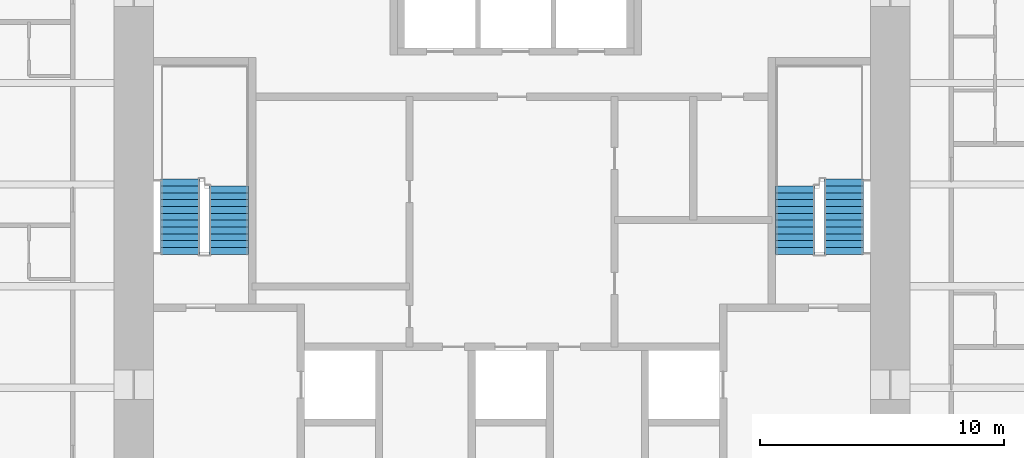
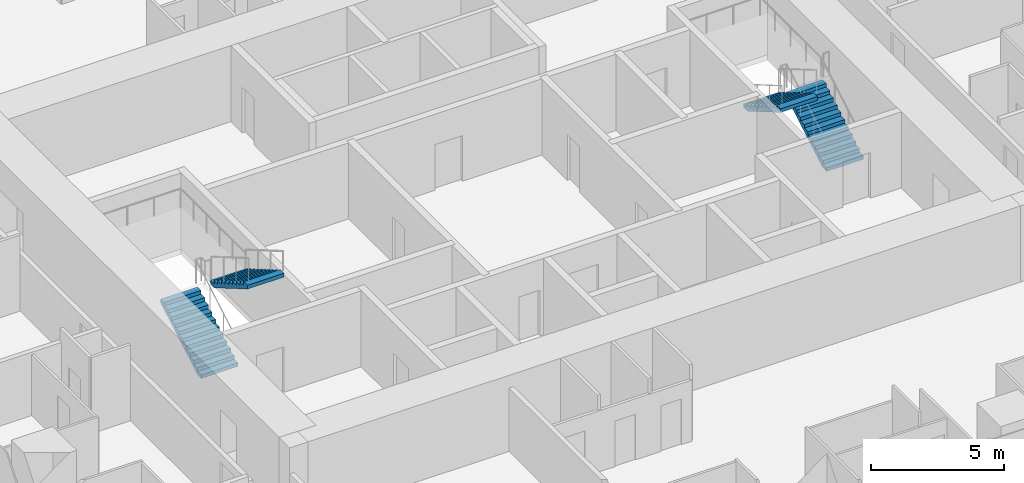
# One storey, part 12 of 13: 4 stair flights, 2 elements without a shape of their own.
"""IFC4 building model written with IfcOpenShell, lengths in metres."""

from ifc_helpers import new_model, si_unit, direction, frame, origin, place, context, subcontext, project, spatial, polyline, outline, extrude, material, type_object, element, aggregate, save


model = new_model("IFC4")

# Units and contexts
model_context = context("Model", 3, precision=1e-05, world=origin(), true_north=direction((0.0, 1.0)))
body_context = subcontext(model_context, "Body", "Model", "MODEL_VIEW")
ifc_project = project(units=[si_unit("LENGTHUNIT", "METRE"), si_unit("AREAUNIT", "SQUARE_METRE"), si_unit("VOLUMEUNIT", "CUBIC_METRE"), si_unit("PLANEANGLEUNIT", "RADIAN"), si_unit("MASSUNIT", "GRAM", prefix="KILO")], contexts=[model_context])

# Site, building, storey
site_placement = place(None, origin())
site = spatial("IfcSite", under=ifc_project, at=site_placement, CompositionType="ELEMENT")
building_placement = place(site_placement, origin())
building = spatial("IfcBuilding", under=site, at=building_placement, Name="Khuree Lantern Residences", CompositionType="ELEMENT")
storey_placement = place(building_placement, frame((0.0, 0.0, 259.5)))
storey = spatial("IfcBuildingStorey", under=building, at=storey_placement, Name="L65", CompositionType="ELEMENT", Elevation=259.5)

# Stair, stair flights
ifc_material = material(Name="Concrete C40/50", Category="concrete")
stair_type = type_object("IfcStairType", Name="STAIR ST1 HALF TURN 3600", PredefinedType="HALF_TURN_STAIR", material=ifc_material)
stair_1_placement = place(storey_placement, origin())
stair_1 = element("IfcStair", 1, at=stair_1_placement, inside=storey, type_object=stair_type, Name="Stair ST1", PredefinedType="HALF_TURN_STAIR")
stair_flight_type = type_object("IfcStairFlightType", Name="STAIR FLIGHT SF1 1600", PredefinedType="STRAIGHT", material=ifc_material)
stair_flight_1_placement = place(storey_placement, frame((-13.60009765625, -2.860107421875, 0.0), z_axis=(0.0, 0.0, 1.0), x_axis=(0.0, 1.0, 0.0)))
stair_flight_1 = element("IfcStairFlight", 2, at=stair_flight_1_placement, type_object=stair_flight_type, Name="ST1 flight 1", NumberOfRisers=12, NumberOfTreads=11, PredefinedType="STRAIGHT", RiserHeight=0.163043478, TreadLength=0.28, context=body_context, shape_type="SweptSolid", body=[
    extrude(outline(polyline([(0.0, 0.0), (0.0, 0.1630859375), (0.280029296875, 0.1630859375), (0.280029296875, 0.326171875), (0.56005859375, 0.326171875), (0.56005859375, 0.489013671875), (0.840087890625, 0.489013671875), (0.840087890625, 0.652099609375), (1.1201171875, 0.652099609375), (1.1201171875, 0.815185546875), (1.39990234375, 0.815185546875), (1.39990234375, 0.978271484375), (1.679931640625, 0.978271484375), (1.679931640625, 1.141357421875), (1.9599609375, 1.141357421875), (1.9599609375, 1.304443359375), (2.239990234375, 1.304443359375), (2.239990234375, 1.46728515625), (2.52001953125, 1.46728515625), (2.52001953125, 1.63037109375), (2.800048828125, 1.63037109375), (2.800048828125, 1.79345703125), (3.080078125, 1.79345703125), (3.080078125, 1.95654296875), (3.080078125, 1.6201171875), (0.2978515625, 0.0), (0.0, 0.0)])), frame((0.0, 0.800048828125, 0.0), z_axis=(0.0, -1.0, 0.0), x_axis=(1.0, 0.0, 0.0)), (0.0, 0.0, 1.0), 1.60009765625),
])
stair_flight_2_placement = place(storey_placement, frame((-11.60009765625, -0.06005859375, 1.95654296875), z_axis=(0.0, 0.0, 1.0), x_axis=(0.0, -1.0, 0.0)))
stair_flight_2 = element("IfcStairFlight", 3, at=stair_flight_2_placement, type_object=stair_flight_type, Name="ST1 flight 2", NumberOfRisers=11, NumberOfTreads=10, PredefinedType="STRAIGHT", RiserHeight=0.163043478, TreadLength=0.28, context=body_context, shape_type="SweptSolid", body=[
    extrude(outline(polyline([(0.0, 0.0), (0.0, 0.1630859375), (0.280029296875, 0.1630859375), (0.280029296875, 0.326171875), (0.56005859375, 0.326171875), (0.56005859375, 0.489013671875), (0.840087890625, 0.489013671875), (0.840087890625, 0.652099609375), (1.1201171875, 0.652099609375), (1.1201171875, 0.815185546875), (1.39990234375, 0.815185546875), (1.39990234375, 0.978271484375), (1.679931640625, 0.978271484375), (1.679931640625, 1.141357421875), (1.9599609375, 1.141357421875), (1.9599609375, 1.304443359375), (2.239990234375, 1.304443359375), (2.239990234375, 1.46728515625), (2.52001953125, 1.46728515625), (2.52001953125, 1.63037109375), (2.800048828125, 1.63037109375), (2.800048828125, 1.79345703125), (2.800048828125, 1.45703125), (0.2978515625, 0.0), (0.0, 0.0)])), frame((0.0, 0.800048828125, 0.0), z_axis=(0.0, -1.0, 0.0), x_axis=(1.0, 0.0, 0.0)), (0.0, 0.0, 1.0), 1.60009765625),
])
aggregate(stair_1, [stair_flight_1, stair_flight_2])

stair_2_placement = place(storey_placement, origin())
stair_2 = element("IfcStair", 4, at=stair_2_placement, inside=storey, type_object=stair_type, Name="Stair ST2", PredefinedType="HALF_TURN_STAIR")
stair_flight_3_placement = place(storey_placement, frame((13.60009765625, -2.860107421875, 0.0), z_axis=(0.0, 0.0, 1.0), x_axis=(0.0, 1.0, 0.0)))
stair_flight_3 = element("IfcStairFlight", 5, at=stair_flight_3_placement, type_object=stair_flight_type, Name="ST2 flight 1", NumberOfRisers=12, NumberOfTreads=11, PredefinedType="STRAIGHT", RiserHeight=0.163043478, TreadLength=0.28, context=body_context, shape_type="SweptSolid", body=[
    extrude(outline(polyline([(0.0, 0.0), (0.0, 0.1630859375), (0.280029296875, 0.1630859375), (0.280029296875, 0.326171875), (0.56005859375, 0.326171875), (0.56005859375, 0.489013671875), (0.840087890625, 0.489013671875), (0.840087890625, 0.652099609375), (1.1201171875, 0.652099609375), (1.1201171875, 0.815185546875), (1.39990234375, 0.815185546875), (1.39990234375, 0.978271484375), (1.679931640625, 0.978271484375), (1.679931640625, 1.141357421875), (1.9599609375, 1.141357421875), (1.9599609375, 1.304443359375), (2.239990234375, 1.304443359375), (2.239990234375, 1.46728515625), (2.52001953125, 1.46728515625), (2.52001953125, 1.63037109375), (2.800048828125, 1.63037109375), (2.800048828125, 1.79345703125), (3.080078125, 1.79345703125), (3.080078125, 1.95654296875), (3.080078125, 1.6201171875), (0.2978515625, 0.0), (0.0, 0.0)])), frame((0.0, 0.800048828125, 0.0), z_axis=(0.0, -1.0, 0.0), x_axis=(1.0, 0.0, 0.0)), (0.0, 0.0, 1.0), 1.60009765625),
])
stair_flight_4_placement = place(storey_placement, frame((11.60009765625, -0.06005859375, 1.95654296875), z_axis=(0.0, 0.0, 1.0), x_axis=(0.0, -1.0, 0.0)))
stair_flight_4 = element("IfcStairFlight", 6, at=stair_flight_4_placement, type_object=stair_flight_type, Name="ST2 flight 2", NumberOfRisers=11, NumberOfTreads=10, PredefinedType="STRAIGHT", RiserHeight=0.163043478, TreadLength=0.28, context=body_context, shape_type="SweptSolid", body=[
    extrude(outline(polyline([(0.0, 0.0), (0.0, 0.1630859375), (0.280029296875, 0.1630859375), (0.280029296875, 0.326171875), (0.56005859375, 0.326171875), (0.56005859375, 0.489013671875), (0.840087890625, 0.489013671875), (0.840087890625, 0.652099609375), (1.1201171875, 0.652099609375), (1.1201171875, 0.815185546875), (1.39990234375, 0.815185546875), (1.39990234375, 0.978271484375), (1.679931640625, 0.978271484375), (1.679931640625, 1.141357421875), (1.9599609375, 1.141357421875), (1.9599609375, 1.304443359375), (2.239990234375, 1.304443359375), (2.239990234375, 1.46728515625), (2.52001953125, 1.46728515625), (2.52001953125, 1.63037109375), (2.800048828125, 1.63037109375), (2.800048828125, 1.79345703125), (2.800048828125, 1.45703125), (0.2978515625, 0.0), (0.0, 0.0)])), frame((0.0, 0.800048828125, 0.0), z_axis=(0.0, -1.0, 0.0), x_axis=(1.0, 0.0, 0.0)), (0.0, 0.0, 1.0), 1.60009765625),
])
aggregate(stair_2, [stair_flight_3, stair_flight_4])

save(model, "model.ifc")
